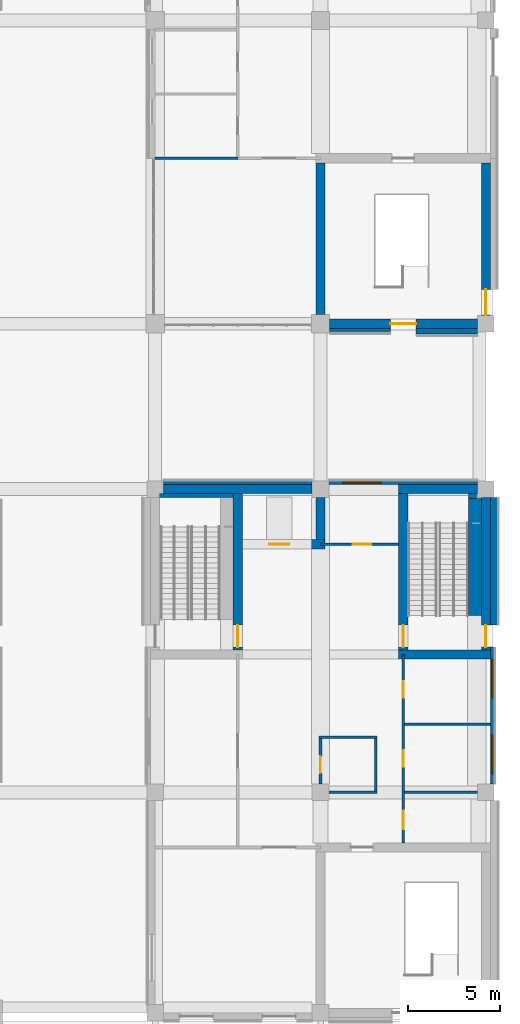
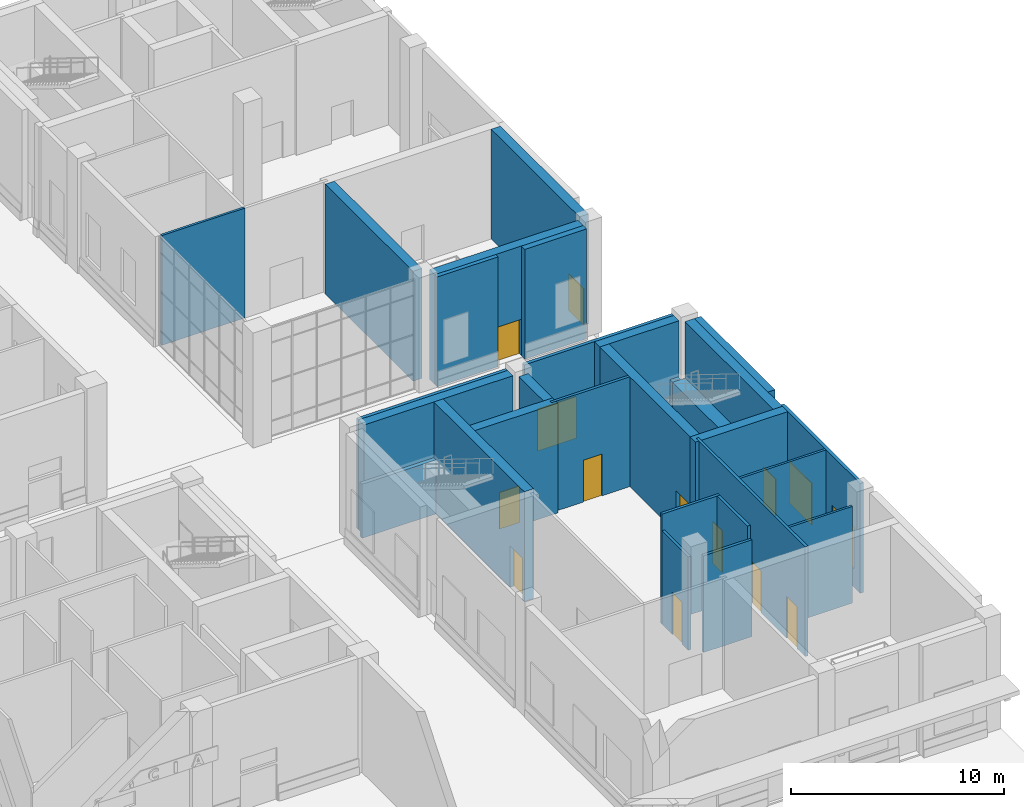
# One storey, part 15 of 35: 29 walls, 11 doors, 3 windows, 14 openings.
"""IFC4 building model written with IfcOpenShell, lengths in metres."""

import ifcopenshell
import ifcopenshell.guid

model = None  # the IFC model being written
_history = None  # IfcOwnerHistory: only IFC2X3 demands one
_inside = {}  # id of a spatial element -> (the spatial element, [elements in it])
_under = {}  # id of a project, library or spatial element -> (it, [spatial elements below it])
_declared = {}  # id of a project -> (the project, [libraries it declares])
_typed = {}  # id of a type object -> (the type object, [elements of that type])
_made_of = {}  # id of a material, layer set ... -> (it, [elements and type objects made of it])


def new_model(schema):
    """Start an empty IFC model of exactly this schema.

    Asked for "IFC4X3", IfcOpenShell would pick the latest addendum, in which some entities
    have other attributes; the version numbers below select the first issue.
    IFC2X3 requires an IfcOwnerHistory on every rooted entity: one is made here for all.
    """
    global model, _history
    if schema == "IFC4X3":
        model = ifcopenshell.file(schema_version=(4, 3, 0, 0))
    else:
        model = ifcopenshell.file(schema=schema)
    _inside.clear()
    _under.clear()
    _declared.clear()
    _typed.clear()
    _made_of.clear()
    _history = None
    if model.schema == "IFC2X3":
        org = make("IfcOrganization", Name="unknown")
        user = make(
            "IfcPersonAndOrganization",
            ThePerson=make("IfcPerson", FamilyName="unknown"),
            TheOrganization=org,
        )
        app = make(
            "IfcApplication",
            ApplicationDeveloper=org,
            Version="unknown",
            ApplicationFullName="unknown",
            ApplicationIdentifier="unknown",
        )
        _history = make(
            "IfcOwnerHistory",
            OwningUser=user,
            OwningApplication=app,
            ChangeAction="ADDED",
            CreationDate=0,
        )
    return model


def make(cls, **values):
    """One entity of the class cls with the attributes given. An attribute that is None is left unset."""
    return model.create_entity(
        cls, **{name: value for name, value in values.items() if value is not None}
    )


def rooted(cls, **values):
    """An entity with a GlobalId (a new one), such as an element, a storey or a relation."""
    return make(cls, GlobalId=ifcopenshell.guid.new(), OwnerHistory=_history, **values)


def si_unit(unit_type, name, prefix=None):
    """IfcSIUnit, for example si_unit("LENGTHUNIT", "METRE", prefix="MILLI")."""
    return make("IfcSIUnit", UnitType=unit_type, Prefix=prefix, Name=name)


def assignment(units):
    """IfcUnitAssignment: the units of a project."""
    return None if units is None else make("IfcUnitAssignment", Units=units)


def point(xyz):
    """IfcCartesianPoint."""
    return None if xyz is None else make("IfcCartesianPoint", Coordinates=xyz)


def direction(xyz):
    """IfcDirection."""
    return None if xyz is None else make("IfcDirection", DirectionRatios=xyz)


def frame(location, z_axis=None, x_axis=None):
    """IfcAxis2Placement3D, a coordinate frame: its origin and axes. An axis left out is left unset."""
    return make(
        "IfcAxis2Placement3D",
        Location=point(location),
        Axis=direction(z_axis),
        RefDirection=direction(x_axis),
    )


def frame_2d(location, x_axis=None):
    """IfcAxis2Placement2D, a coordinate frame in the plane: its origin and x axis."""
    return make(
        "IfcAxis2Placement2D", Location=point(location), RefDirection=direction(x_axis)
    )


def origin():
    """The frame at (0, 0, 0) with its axes left unset."""
    return frame((0.0, 0.0, 0.0))


def place(relative_to, where):
    """IfcLocalPlacement: puts the frame where relative to a parent placement (None: the world)."""
    return make(
        "IfcLocalPlacement", PlacementRelTo=relative_to, RelativePlacement=where
    )


def context(
    kind, dimensions, precision=None, world=None, true_north=None, identifier=None
):
    """IfcGeometricRepresentationContext, for example the 3D "Model" context."""
    return make(
        "IfcGeometricRepresentationContext",
        ContextIdentifier=identifier,
        ContextType=kind,
        CoordinateSpaceDimension=dimensions,
        Precision=precision,
        WorldCoordinateSystem=world,
        TrueNorth=true_north,
    )


def subcontext(parent, identifier, kind, view, scale=None):
    """IfcGeometricRepresentationSubContext, for example "Body" below "Model"."""
    return make(
        "IfcGeometricRepresentationSubContext",
        ContextIdentifier=identifier,
        ContextType=kind,
        ParentContext=parent,
        TargetScale=scale,
        TargetView=view,
    )


def project(units=None, contexts=None):
    """IfcProject with its units and contexts."""
    return rooted(
        "IfcProject",
        Name="project",
        RepresentationContexts=contexts,
        UnitsInContext=assignment(units),
    )


def spatial(cls, under=None, at=None, **own):
    """A site, building, storey or space (cls), placed at a placement, below another one or the project."""
    s = rooted(cls, ObjectPlacement=at, **own)
    if under is not None:
        _under.setdefault(under.id(), (under, []))[1].append(s)
    return s


def profile(cls, at=None, kind="AREA", **sizes):
    """A parametric profile (cls). Its sizes go by their IFC names, for example OverallWidth=200.0."""
    return make(cls, ProfileType=kind, Position=at, **sizes)


def rectangle(**sizes):
    """IfcRectangleProfileDef."""
    return profile("IfcRectangleProfileDef", **sizes)


def extrude(swept, where, along, depth):
    """IfcExtrudedAreaSolid: the profile swept, set in the frame where, extruded along a direction by depth."""
    return make(
        "IfcExtrudedAreaSolid",
        SweptArea=swept,
        Position=where,
        ExtrudedDirection=direction(along),
        Depth=depth,
    )


def shape(context_of_items, identifier, shape_type, items):
    """IfcShapeRepresentation: the items that make up one representation, for example the "Body"."""
    return make(
        "IfcShapeRepresentation",
        ContextOfItems=context_of_items,
        RepresentationIdentifier=identifier,
        RepresentationType=shape_type,
        Items=items,
    )


def material(Name=None, Category=None):
    """IfcMaterial."""
    return make("IfcMaterial", Name=Name, Category=Category)


def layer(
    of_material, thickness, ventilated=None, Name=None, Category=None, Priority=None
):
    """IfcMaterialLayer: one layer of a wall or slab, of a material (None: an air gap)."""
    return make(
        "IfcMaterialLayer",
        Material=of_material,
        LayerThickness=thickness,
        IsVentilated=ventilated,
        Name=Name,
        Category=Category,
        Priority=Priority,
    )


def layer_set(layers, Name=None):
    """IfcMaterialLayerSet."""
    return make("IfcMaterialLayerSet", MaterialLayers=layers, LayerSetName=Name)


def made_of(thing, what):
    """Note that an element or type object is made of a material, layer set ...; save() writes the relation."""
    if what is not None:
        _made_of.setdefault(what.id(), (what, []))[1].append(thing)
    return thing


def type_object(cls, material=None, **own):
    """A type object (cls), such as IfcWallType, which elements share."""
    return made_of(rooted(cls, **own), material)


def element(
    cls,
    number,
    at=None,
    inside=None,
    cuts=None,
    type_object=None,
    material=None,
    context=None,
    identifier="Body",
    shape_type=None,
    held_by="IfcProductDefinitionShape",
    body=None,
    shapes=None,
    **own,
):
    """One element of the class cls, such as IfcWall. Its Tag is "e" and its number.

    at: its placement. inside: the storey or other place that contains it. cuts: it is an
    opening in that element (IfcRelVoidsElement). A single representation is given by context,
    identifier, shape_type and body (its items); several are given by shapes. held_by: the class
    of the entity that holds the representations. save() writes the other relations.
    """
    e = rooted(cls, Tag="e%d" % number, ObjectPlacement=at, **own)
    if body is not None:
        shapes = [shape(context, identifier, shape_type, body)]
    if shapes is not None:
        e.Representation = make(held_by, Representations=shapes)
    if inside is not None:
        _inside.setdefault(inside.id(), (inside, []))[1].append(e)
    if cuts is not None:
        rooted(
            "IfcRelVoidsElement", RelatingBuildingElement=cuts, RelatedOpeningElement=e
        )
    if type_object is not None:
        _typed.setdefault(type_object.id(), (type_object, []))[1].append(e)
    return made_of(e, material)


def fill(opening, filler):
    """IfcRelFillsElement: the door or window that sits in an opening."""
    return rooted(
        "IfcRelFillsElement",
        RelatingOpeningElement=opening,
        RelatedBuildingElement=filler,
    )


def aggregate(whole, parts):
    """IfcRelAggregates: a whole, such as a stair, and the parts it consists of."""
    return rooted("IfcRelAggregates", RelatingObject=whole, RelatedObjects=parts)


def save(model, path):
    """Write the relations noted so far, then the file.

    IfcRelAggregates (storeys below a building ...), IfcRelContainedInSpatialStructure (elements
    in a storey), IfcRelDefinesByType, IfcRelAssociatesMaterial and IfcRelDeclares: one each for
    every whole, place, type object, material and project.
    """
    for whole, parts in _under.values():
        aggregate(whole, parts)
    for where, things in _inside.values():
        rooted(
            "IfcRelContainedInSpatialStructure",
            RelatedElements=things,
            RelatingStructure=where,
        )
    for kind, things in _typed.values():
        rooted("IfcRelDefinesByType", RelatedObjects=things, RelatingType=kind)
    for what, things in _made_of.values():
        rooted("IfcRelAssociatesMaterial", RelatedObjects=things, RelatingMaterial=what)
    for by, libraries in _declared.values():
        rooted("IfcRelDeclares", RelatingContext=by, RelatedDefinitions=libraries)
    model.write(path)


model = new_model("IFC4")

# Units and contexts
model_context = context("Model", 3, precision=1e-05, world=origin(), true_north=direction((0.0, 1.0)))
body_context = subcontext(model_context, "Body", "Model", "MODEL_VIEW")
ifc_project = project(units=[si_unit("LENGTHUNIT", "METRE"), si_unit("AREAUNIT", "SQUARE_METRE"), si_unit("VOLUMEUNIT", "CUBIC_METRE"), si_unit("PLANEANGLEUNIT", "RADIAN"), si_unit("MASSUNIT", "GRAM", prefix="KILO")], contexts=[model_context])

# Site, building, storey
site_placement = place(None, origin())
site = spatial("IfcSite", under=ifc_project, at=site_placement, CompositionType="ELEMENT")
building_placement = place(site_placement, origin())
building = spatial("IfcBuilding", under=site, at=building_placement, Name="Aurelan Courthouse", CompositionType="ELEMENT")
storey_placement = place(building_placement, origin())
storey = spatial("IfcBuildingStorey", under=building, at=storey_placement, Name="L00", CompositionType="ELEMENT", Elevation=0.0)

# Walls
ifc_material_1 = material(Name="Gypsum board on metal studs")
ifc_layer_1 = layer(ifc_material_1, 0.14990234375)
ifc_layer_set_1 = layer_set([ifc_layer_1], Name="Gypsum board on metal studs")
wall_type_1 = type_object("IfcWallType", Name="Corridor partition 150 EI 60", PredefinedType="PARTITIONING", material=ifc_layer_set_1)
wall_1_placement = place(storey_placement, frame((81.449951171875, 12.0, 0.0), z_axis=(0.0, 0.0, 1.0), x_axis=(1.0, 0.0, 0.0)))
element("IfcWall", 1, at=wall_1_placement, inside=storey, type_object=wall_type_1, Name="Corridor partition L00-004", PredefinedType="PARTITIONING", context=body_context, shape_type="SweptSolid", body=[
    extrude(rectangle(XDim=2.625, YDim=0.14990234375, at=frame_2d((1.3125, 0.0))), origin(), (0.0, 0.0, 1.0), 5.550048828125),
])
wall_2_placement = place(storey_placement, frame((80.925048828125, 15.0, 0.0), z_axis=(0.0, 0.0, 1.0), x_axis=(1.0, 0.0, 0.0)))
element("IfcWall", 2, at=wall_2_placement, inside=storey, type_object=wall_type_1, Name="Corridor partition L00-009", PredefinedType="PARTITIONING", context=body_context, shape_type="SweptSolid", body=[
    extrude(rectangle(XDim=3.14990234375, YDim=0.14990234375, at=frame_2d((1.574951171875, 0.0))), origin(), (0.0, 0.0, 1.0), 6.300048828125),
])

# Wall, opening, door
wall_3_placement = place(storey_placement, frame((81.0, 25.5, 0.0), z_axis=(0.0, 0.0, 1.0), x_axis=(1.0, 0.0, 0.0)))
wall_3 = element("IfcWall", 3, at=wall_3_placement, inside=storey, type_object=wall_type_1, Name="Corridor partition L00-023", PredefinedType="PARTITIONING", context=body_context, shape_type="SweptSolid", body=[
    extrude(rectangle(XDim=4.25, YDim=0.14990234375, at=frame_2d((2.125, 0.0))), origin(), (0.0, 0.0, 1.0), 6.300048828125),
])
opening_1_placement = place(wall_3_placement, frame((1.75, 0.0, 0.0)))
opening_1 = element("IfcOpeningElement", 4, at=opening_1_placement, cuts=wall_3, Name="Opening D-L00-085", PredefinedType="OPENING", context=body_context, shape_type="SweptSolid", body=[
    extrude(rectangle(XDim=1.0, YDim=2.39990234375, at=frame_2d((0.5, 1.199951171875))), frame((0.0, 0.0849609375, 0.0), z_axis=(0.0, -1.0, 0.0), x_axis=(1.0, 0.0, 0.0)), (0.0, 0.0, 1.0), 0.169921875),
])
ifc_material_2 = material(Name="Steel", Category="steel")
door_type_1 = type_object("IfcDoorType", Name="Single door 1000 x 2400 FD60", OperationType="SINGLE_SWING_LEFT", PredefinedType="DOOR", material=ifc_material_2)
door_1_placement = place(opening_1_placement, origin())
door_1 = element("IfcDoor", 5, at=door_1_placement, inside=storey, type_object=door_type_1, Name="Single door D-L00-085", OperationType="SINGLE_SWING_RIGHT", OverallHeight=2.39990234375, OverallWidth=1.0, PredefinedType="DOOR", context=body_context, shape_type="SweptSolid", body=[
    extrude(rectangle(XDim=1.0, YDim=2.39990234375, at=frame_2d((0.5, 1.199951171875))), frame((0.0, 0.02490234375, 0.0), z_axis=(0.0, -1.0, 0.0), x_axis=(1.0, 0.0, 0.0)), (0.0, 0.0, 1.0), 0.050048828125),
])
fill(opening_1, door_1)

wall_4_placement = place(storey_placement, frame((81.0, 12.449951171875, 0.0), z_axis=(0.0, 0.0, 1.0), x_axis=(0.0, 1.0, 0.0)))
wall_4 = element("IfcWall", 6, at=wall_4_placement, inside=storey, type_object=wall_type_1, Name="Corridor partition L00-094", PredefinedType="PARTITIONING", context=body_context, shape_type="SweptSolid", body=[
    extrude(rectangle(XDim=2.47509765625, YDim=0.14990234375, at=frame_2d((1.237548828125, 0.0))), origin(), (0.0, 0.0, 1.0), 5.35009765625),
])
opening_2_placement = place(wall_4_placement, frame((1.5, 0.0, 0.0), z_axis=(0.0, 0.0, 1.0), x_axis=(-1.0, 0.0, 0.0)))
opening_2 = element("IfcOpeningElement", 7, at=opening_2_placement, cuts=wall_4, Name="Opening D-L00-074", PredefinedType="OPENING", context=body_context, shape_type="SweptSolid", body=[
    extrude(rectangle(XDim=0.89990234375, YDim=2.39990234375, at=frame_2d((0.449951171875, 1.199951171875))), frame((0.0, 0.0849609375, 0.0), z_axis=(0.0, -1.0, 0.0), x_axis=(1.0, 0.0, 0.0)), (0.0, 0.0, 1.0), 0.169921875),
])
door_type_2 = type_object("IfcDoorType", Name="Single door 900 x 2400 FD60", OperationType="SINGLE_SWING_LEFT", PredefinedType="DOOR", material=ifc_material_2)
door_2_placement = place(opening_2_placement, origin())
door_2 = element("IfcDoor", 8, at=door_2_placement, inside=storey, type_object=door_type_2, Name="Single door D-L00-074", OperationType="SINGLE_SWING_RIGHT", OverallHeight=2.39990234375, OverallWidth=0.89990234375, PredefinedType="DOOR", context=body_context, shape_type="SweptSolid", body=[
    extrude(rectangle(XDim=0.89990234375, YDim=2.39990234375, at=frame_2d((0.449951171875, 1.199951171875))), frame((0.0, 0.02490234375, 0.0), z_axis=(0.0, -1.0, 0.0), x_axis=(1.0, 0.0, 0.0)), (0.0, 0.0, 1.0), 0.050048828125),
])
fill(opening_2, door_2)

# Wall
wall_5_placement = place(storey_placement, frame((84.0, 12.074951171875, 0.0), z_axis=(0.0, 0.0, 1.0), x_axis=(0.0, 1.0, 0.0)))
element("IfcWall", 9, at=wall_5_placement, inside=storey, type_object=wall_type_1, Name="Corridor partition L00-096", PredefinedType="PARTITIONING", context=body_context, shape_type="SweptSolid", body=[
    extrude(rectangle(XDim=2.85009765625, YDim=0.14990234375, at=frame_2d((1.425048828125, 0.0))), origin(), (0.0, 0.0, 1.0), 6.300048828125),
])

# Wall, openings, doors
wall_6_placement = place(storey_placement, frame((85.5, 9.25, 0.0), z_axis=(0.0, 0.0, 1.0), x_axis=(0.0, 1.0, 0.0)))
wall_6 = element("IfcWall", 10, at=wall_6_placement, inside=storey, type_object=wall_type_1, Name="Corridor partition L00-097", PredefinedType="PARTITIONING", context=body_context, shape_type="SweptSolid", body=[
    extrude(rectangle(XDim=10.25, YDim=0.14990234375, at=frame_2d((5.125, 0.0))), origin(), (0.0, 0.0, 1.0), 6.300048828125),
])
opening_3_placement = place(wall_6_placement, frame((1.75, 0.0, 0.0), z_axis=(0.0, 0.0, 1.0), x_axis=(-1.0, 0.0, 0.0)))
opening_3 = element("IfcOpeningElement", 11, at=opening_3_placement, cuts=wall_6, Name="Opening D-L00-082", PredefinedType="OPENING", context=body_context, shape_type="SweptSolid", body=[
    extrude(rectangle(XDim=1.0, YDim=2.39990234375, at=frame_2d((0.5, 1.199951171875))), frame((0.0, 0.0849609375, 0.0), z_axis=(0.0, -1.0, 0.0), x_axis=(1.0, 0.0, 0.0)), (0.0, 0.0, 1.0), 0.169921875),
])
opening_4_placement = place(wall_6_placement, frame((5.0498046875, 0.0, 0.0), z_axis=(0.0, 0.0, 1.0), x_axis=(-1.0, 0.0, 0.0)))
opening_4 = element("IfcOpeningElement", 12, at=opening_4_placement, cuts=wall_6, Name="Opening D-L00-083", PredefinedType="OPENING", context=body_context, shape_type="SweptSolid", body=[
    extrude(rectangle(XDim=0.89990234375, YDim=2.39990234375, at=frame_2d((0.449951171875, 1.199951171875))), frame((0.0, 0.0849609375, 0.0), z_axis=(0.0, -1.0, 0.0), x_axis=(1.0, 0.0, 0.0)), (0.0, 0.0, 1.0), 0.169921875),
])
opening_5_placement = place(wall_6_placement, frame((8.7998046875, 0.0, 0.0), z_axis=(0.0, 0.0, 1.0), x_axis=(-1.0, 0.0, 0.0)))
opening_5 = element("IfcOpeningElement", 13, at=opening_5_placement, cuts=wall_6, Name="Opening D-L00-084", PredefinedType="OPENING", context=body_context, shape_type="SweptSolid", body=[
    extrude(rectangle(XDim=0.89990234375, YDim=2.39990234375, at=frame_2d((0.449951171875, 1.199951171875))), frame((0.0, 0.0849609375, 0.0), z_axis=(0.0, -1.0, 0.0), x_axis=(1.0, 0.0, 0.0)), (0.0, 0.0, 1.0), 0.169921875),
])
door_3_placement = place(opening_3_placement, origin())
door_3 = element("IfcDoor", 14, at=door_3_placement, inside=storey, type_object=door_type_1, Name="Single door D-L00-082", OperationType="SINGLE_SWING_RIGHT", OverallHeight=2.39990234375, OverallWidth=1.0, PredefinedType="DOOR", context=body_context, shape_type="SweptSolid", body=[
    extrude(rectangle(XDim=1.0, YDim=2.39990234375, at=frame_2d((0.5, 1.199951171875))), frame((0.0, 0.02490234375, 0.0), z_axis=(0.0, -1.0, 0.0), x_axis=(1.0, 0.0, 0.0)), (0.0, 0.0, 1.0), 0.050048828125),
])
fill(opening_3, door_3)
door_4_placement = place(opening_4_placement, origin())
door_4 = element("IfcDoor", 15, at=door_4_placement, inside=storey, type_object=door_type_2, Name="Single door D-L00-083", OperationType="SINGLE_SWING_LEFT", OverallHeight=2.39990234375, OverallWidth=0.89990234375, PredefinedType="DOOR", context=body_context, shape_type="SweptSolid", body=[
    extrude(rectangle(XDim=0.89990234375, YDim=2.39990234375, at=frame_2d((0.449951171875, 1.199951171875))), frame((0.0, 0.02490234375, 0.0), z_axis=(0.0, -1.0, 0.0), x_axis=(1.0, 0.0, 0.0)), (0.0, 0.0, 1.0), 0.050048828125),
])
fill(opening_4, door_4)
door_5_placement = place(opening_5_placement, origin())
door_5 = element("IfcDoor", 16, at=door_5_placement, inside=storey, type_object=door_type_2, Name="Single door D-L00-084", OperationType="SINGLE_SWING_RIGHT", OverallHeight=2.39990234375, OverallWidth=0.89990234375, PredefinedType="DOOR", context=body_context, shape_type="SweptSolid", body=[
    extrude(rectangle(XDim=0.89990234375, YDim=2.39990234375, at=frame_2d((0.449951171875, 1.199951171875))), frame((0.0, 0.02490234375, 0.0), z_axis=(0.0, -1.0, 0.0), x_axis=(1.0, 0.0, 0.0)), (0.0, 0.0, 1.0), 0.050048828125),
])
fill(opening_5, door_5)

# Walls
ifc_material_3 = material(Name="Granite cladding", Category="masonry")
ifc_layer_2 = layer(ifc_material_3, 0.06494140625, Name="Facing")
ifc_material_4 = material(Name="Ventilated cavity")
ifc_layer_3 = layer(ifc_material_4, 0.02490234375, ventilated=True, Name="Ventilated cavity")
ifc_material_5 = material(Name="Mineral wool insulation")
ifc_layer_4 = layer(ifc_material_5, 0.030029296875, Name="Insulation")
ifc_material_6 = material(Name="Concrete C30", Category="concrete")
ifc_layer_5 = layer(ifc_material_6, 0.10009765625, Name="Structure")
ifc_layer_set_2 = layer_set([ifc_layer_2, ifc_layer_3, ifc_layer_4, ifc_layer_5], Name="Concrete C30")
wall_type_2 = type_object("IfcWallType", Name="Law Library granite-faced wall 220", PredefinedType="SOLIDWALL", material=ifc_layer_set_2)
wall_7_placement = place(storey_placement, frame((81.5, 37.139892578125, 0.0), z_axis=(0.0, 0.0, 1.0), x_axis=(1.0, 0.0, 0.0)))
element("IfcWall", 17, at=wall_7_placement, inside=storey, type_object=wall_type_2, Name="Facade wall FW-V3-L00-001", PredefinedType="SOLIDWALL", context=body_context, shape_type="SweptSolid", body=[
    extrude(rectangle(XDim=3.300048828125, YDim=0.219970703125, at=frame_2d((1.64990234375, 0.0))), origin(), (0.0, 0.0, 1.0), 6.300048828125),
])
ifc_layer_6 = layer(ifc_material_3, 0.090087890625, Name="Facing")
ifc_layer_7 = layer(ifc_material_4, 0.02490234375, ventilated=True, Name="Ventilated cavity")
ifc_layer_8 = layer(ifc_material_5, 0.044921875, Name="Insulation")
ifc_layer_9 = layer(ifc_material_6, 0.159912109375, Name="Structure")
ifc_layer_set_3 = layer_set([ifc_layer_6, ifc_layer_7, ifc_layer_8, ifc_layer_9], Name="Concrete C30")
wall_type_3 = type_object("IfcWallType", Name="Law Library granite-faced wall 320", PredefinedType="SOLIDWALL", material=ifc_layer_set_3)
wall_8_placement = place(storey_placement, frame((86.199951171875, 37.090087890625, 0.0), z_axis=(0.0, 0.0, 1.0), x_axis=(1.0, 0.0, 0.0)))
element("IfcWall", 18, at=wall_8_placement, inside=storey, type_object=wall_type_3, Name="Facade wall FW-V3-L00-002", PredefinedType="SOLIDWALL", context=body_context, shape_type="SweptSolid", body=[
    extrude(rectangle(XDim=3.35009765625, YDim=0.320068359375, at=frame_2d((1.675048828125, 0.0))), origin(), (0.0, 0.0, 1.0), 6.300048828125),
])
ifc_layer_10 = layer(ifc_material_3, 0.050048828125, Name="Facing")
ifc_layer_11 = layer(ifc_material_4, 0.02490234375, ventilated=True, Name="Ventilated cavity")
ifc_layer_12 = layer(ifc_material_5, 0.02490234375, Name="Insulation")
ifc_layer_13 = layer(ifc_material_6, 0.080078125, Name="Structure")
ifc_layer_set_4 = layer_set([ifc_layer_10, ifc_layer_11, ifc_layer_12, ifc_layer_13], Name="Concrete C30")
wall_type_4 = type_object("IfcWallType", Name="Public Hall and Registry granite-faced wall 180", PredefinedType="SOLIDWALL", material=ifc_layer_set_4)
wall_9_placement = place(storey_placement, frame((72.449951171875, 28.840087890625, 0.0), z_axis=(0.0, 0.0, 1.0), x_axis=(1.0, 0.0, 0.0)))
element("IfcWall", 19, at=wall_9_placement, inside=storey, type_object=wall_type_4, Name="Facade wall FW-V4-L00-004", PredefinedType="SOLIDWALL", context=body_context, shape_type="SweptSolid", body=[
    extrude(rectangle(XDim=8.10009765625, YDim=0.179931640625, at=frame_2d((4.050048828125, 0.0))), origin(), (0.0, 0.0, 1.0), 6.300048828125),
])

# Wall, opening, window
wall_10_placement = place(storey_placement, frame((81.449951171875, 28.840087890625, 0.0), z_axis=(0.0, 0.0, 1.0), x_axis=(1.0, 0.0, 0.0)))
wall_10 = element("IfcWall", 20, at=wall_10_placement, inside=storey, type_object=wall_type_4, Name="Facade wall FW-V4-L00-005", PredefinedType="SOLIDWALL", context=body_context, shape_type="SweptSolid", body=[
    extrude(rectangle(XDim=8.10009765625, YDim=0.179931640625, at=frame_2d((4.050048828125, 0.0))), origin(), (0.0, 0.0, 1.0), 6.300048828125),
])
opening_6_placement = place(wall_10_placement, frame((0.75, 0.0, 1.050048828125)))
opening_6 = element("IfcOpeningElement", 21, at=opening_6_placement, cuts=wall_10, Name="Opening WN-V4-L00-003", PredefinedType="OPENING", context=body_context, shape_type="SweptSolid", body=[
    extrude(rectangle(XDim=2.10009765625, YDim=2.39990234375, at=frame_2d((1.050048828125, 1.199951171875))), frame((0.0, 0.099853515625, 0.0), z_axis=(0.0, -1.0, 0.0), x_axis=(1.0, 0.0, 0.0)), (0.0, 0.0, 1.0), 0.199951171875),
])
ifc_material_7 = material(Name="Bronze-finished aluminium and glass", Category="aluminium")
window_type = type_object("IfcWindowType", Name="Public Hall and Registry window 2100 x 2400, sill 1050", PartitioningType="SINGLE_PANEL", PredefinedType="WINDOW", material=ifc_material_7)
window_1_placement = place(opening_6_placement, origin())
window_1 = element("IfcWindow", 22, at=window_1_placement, inside=storey, type_object=window_type, Name="Window WN-V4-L00-003", OverallHeight=2.39990234375, OverallWidth=2.10009765625, PartitioningType="SINGLE_PANEL", PredefinedType="WINDOW", context=body_context, shape_type="SweptSolid", body=[
    extrude(rectangle(XDim=2.10009765625, YDim=2.39990234375, at=frame_2d((1.050048828125, 1.199951171875))), frame((0.0, 0.030029296875, 0.0), z_axis=(0.0, -1.0, 0.0), x_axis=(1.0, 0.0, 0.0)), (0.0, 0.0, 1.0), 0.06005859375),
])
fill(opening_6, window_1)

# Wall, openings, windows
wall_11_placement = place(storey_placement, frame((90.340087890625, 12.449951171875, 0.0), z_axis=(0.0, 0.0, 1.0), x_axis=(0.0, 1.0, 0.0)))
wall_11 = element("IfcWall", 23, at=wall_11_placement, inside=storey, type_object=wall_type_4, Name="Facade wall FW-V4-L00-007", PredefinedType="SOLIDWALL", context=body_context, shape_type="SweptSolid", body=[
    extrude(rectangle(XDim=7.449951171875, YDim=0.179931640625, at=frame_2d((3.72509765625, 0.0))), origin(), (0.0, 0.0, 1.0), 6.300048828125),
])
opening_7_placement = place(wall_11_placement, frame((0.5625, 0.0, 1.050048828125)))
opening_7 = element("IfcOpeningElement", 24, at=opening_7_placement, cuts=wall_11, Name="Opening WN-V4-L00-004", PredefinedType="OPENING", context=body_context, shape_type="SweptSolid", body=[
    extrude(rectangle(XDim=2.10009765625, YDim=2.39990234375, at=frame_2d((1.050048828125, 1.199951171875))), frame((0.0, 0.099853515625, 0.0), z_axis=(0.0, -1.0, 0.0), x_axis=(1.0, 0.0, 0.0)), (0.0, 0.0, 1.0), 0.199951171875),
])
opening_8_placement = place(wall_11_placement, frame((4.6875, 0.0, 1.050048828125)))
opening_8 = element("IfcOpeningElement", 25, at=opening_8_placement, cuts=wall_11, Name="Opening WN-V4-L00-005", PredefinedType="OPENING", context=body_context, shape_type="SweptSolid", body=[
    extrude(rectangle(XDim=2.10009765625, YDim=2.39990234375, at=frame_2d((1.050048828125, 1.199951171875))), frame((0.0, 0.099853515625, 0.0), z_axis=(0.0, -1.0, 0.0), x_axis=(1.0, 0.0, 0.0)), (0.0, 0.0, 1.0), 0.199951171875),
])
window_2_placement = place(opening_7_placement, origin())
window_2 = element("IfcWindow", 26, at=window_2_placement, inside=storey, type_object=window_type, Name="Window WN-V4-L00-004", OverallHeight=2.39990234375, OverallWidth=2.10009765625, PartitioningType="SINGLE_PANEL", PredefinedType="WINDOW", context=body_context, shape_type="SweptSolid", body=[
    extrude(rectangle(XDim=2.10009765625, YDim=2.39990234375, at=frame_2d((1.050048828125, 1.199951171875))), frame((0.0, 0.030029296875, 0.0), z_axis=(0.0, -1.0, 0.0), x_axis=(1.0, 0.0, 0.0)), (0.0, 0.0, 1.0), 0.06005859375),
])
fill(opening_7, window_2)
window_3_placement = place(opening_8_placement, origin())
window_3 = element("IfcWindow", 27, at=window_3_placement, inside=storey, type_object=window_type, Name="Window WN-V4-L00-005", OverallHeight=2.39990234375, OverallWidth=2.10009765625, PartitioningType="SINGLE_PANEL", PredefinedType="WINDOW", context=body_context, shape_type="SweptSolid", body=[
    extrude(rectangle(XDim=2.10009765625, YDim=2.39990234375, at=frame_2d((1.050048828125, 1.199951171875))), frame((0.0, 0.030029296875, 0.0), z_axis=(0.0, -1.0, 0.0), x_axis=(1.0, 0.0, 0.0)), (0.0, 0.0, 1.0), 0.06005859375),
])
fill(opening_8, window_3)

# Walls
ifc_layer_14 = layer(ifc_material_3, 0.110107421875, Name="Facing")
ifc_layer_15 = layer(ifc_material_4, 0.02490234375, ventilated=True, Name="Ventilated cavity")
ifc_layer_16 = layer(ifc_material_5, 0.054931640625, Name="Insulation")
ifc_layer_17 = layer(ifc_material_6, 0.18994140625, Name="Structure")
ifc_layer_set_5 = layer_set([ifc_layer_14, ifc_layer_15, ifc_layer_16, ifc_layer_17], Name="Concrete C30")
wall_type_5 = type_object("IfcWallType", Name="Public Hall and Registry granite-faced wall 380", PredefinedType="SOLIDWALL", material=ifc_layer_set_5)
wall_12_placement = place(storey_placement, frame((90.43994140625, 21.10009765625, 0.0), z_axis=(0.0, 0.0, 1.0), x_axis=(0.0, 1.0, 0.0)))
element("IfcWall", 28, at=wall_12_placement, inside=storey, type_object=wall_type_5, Name="Facade wall FW-V4-L00-008", PredefinedType="SOLIDWALL", context=body_context, shape_type="SweptSolid", body=[
    extrude(rectangle(XDim=6.949951171875, YDim=0.3798828125, at=frame_2d((3.47509765625, 0.0))), origin(), (0.0, 0.0, 1.0), 6.300048828125),
])
ifc_material_8 = material(Name="Concrete C50", Category="concrete")
ifc_layer_18 = layer(ifc_material_8, 0.5)
ifc_layer_set_6 = layer_set([ifc_layer_18], Name="Concrete C50")
wall_type_6 = type_object("IfcWallType", Name="RC shear wall 500", PredefinedType="SHEAR", material=ifc_layer_set_6)
wall_13_placement = place(storey_placement, frame((85.25, 19.5, 0.0), z_axis=(0.0, 0.0, 1.0), x_axis=(1.0, 0.0, 0.0)))
element("IfcWall", 29, at=wall_13_placement, inside=storey, type_object=wall_type_6, Name="Core wall SW-L00-018", PredefinedType="SHEAR", context=body_context, shape_type="SweptSolid", body=[
    extrude(rectangle(XDim=5.0, YDim=0.5, at=frame_2d((2.5, 0.0))), origin(), (0.0, 0.0, 1.0), 6.300048828125),
])

# Wall, opening, door
wall_14_placement = place(storey_placement, frame((76.5, 19.75, 0.0), z_axis=(0.0, 0.0, 1.0), x_axis=(0.0, 1.0, 0.0)))
wall_14 = element("IfcWall", 30, at=wall_14_placement, inside=storey, type_object=wall_type_6, Name="Core wall SW-L00-030", PredefinedType="SHEAR", context=body_context, shape_type="SweptSolid", body=[
    extrude(rectangle(XDim=8.5, YDim=0.5, at=frame_2d((4.25, 0.0))), origin(), (0.0, 0.0, 1.0), 6.300048828125),
])
opening_9_placement = place(wall_14_placement, frame((0.14990234375, 0.0, 0.0)))
opening_9 = element("IfcOpeningElement", 31, at=opening_9_placement, cuts=wall_14, Name="Opening D-L00-089", PredefinedType="OPENING", context=body_context, shape_type="SweptSolid", body=[
    extrude(rectangle(XDim=1.199951171875, YDim=2.39990234375, at=frame_2d((0.60009765625, 1.199951171875))), frame((0.0, 0.260009765625, 0.0), z_axis=(0.0, -1.0, 0.0), x_axis=(1.0, 0.0, 0.0)), (0.0, 0.0, 1.0), 0.52001953125),
])
door_type_3 = type_object("IfcDoorType", Name="Single door 1200 x 2400 FD90", OperationType="SINGLE_SWING_LEFT", PredefinedType="DOOR", material=ifc_material_2)
door_6_placement = place(opening_9_placement, origin())
door_6 = element("IfcDoor", 32, at=door_6_placement, inside=storey, type_object=door_type_3, Name="Single door D-L00-089", OperationType="SINGLE_SWING_LEFT", OverallHeight=2.39990234375, OverallWidth=1.199951171875, PredefinedType="DOOR", context=body_context, shape_type="SweptSolid", body=[
    extrude(rectangle(XDim=1.199951171875, YDim=2.39990234375, at=frame_2d((0.60009765625, 1.199951171875))), frame((0.0, 0.02490234375, 0.0), z_axis=(0.0, -1.0, 0.0), x_axis=(1.0, 0.0, 0.0)), (0.0, 0.0, 1.0), 0.050048828125),
])
fill(opening_9, door_6)

wall_15_placement = place(storey_placement, frame((85.5, 19.75, 0.0), z_axis=(0.0, 0.0, 1.0), x_axis=(0.0, 1.0, 0.0)))
wall_15 = element("IfcWall", 33, at=wall_15_placement, inside=storey, type_object=wall_type_6, Name="Core wall SW-L00-031", PredefinedType="SHEAR", context=body_context, shape_type="SweptSolid", body=[
    extrude(rectangle(XDim=8.5, YDim=0.5, at=frame_2d((4.25, 0.0))), origin(), (0.0, 0.0, 1.0), 6.300048828125),
])
opening_10_placement = place(wall_15_placement, frame((1.349853515625, 0.0, 0.0), z_axis=(0.0, 0.0, 1.0), x_axis=(-1.0, 0.0, 0.0)))
opening_10 = element("IfcOpeningElement", 34, at=opening_10_placement, cuts=wall_15, Name="Opening D-L00-090", PredefinedType="OPENING", context=body_context, shape_type="SweptSolid", body=[
    extrude(rectangle(XDim=1.199951171875, YDim=2.39990234375, at=frame_2d((0.60009765625, 1.199951171875))), frame((0.0, 0.260009765625, 0.0), z_axis=(0.0, -1.0, 0.0), x_axis=(1.0, 0.0, 0.0)), (0.0, 0.0, 1.0), 0.52001953125),
])
door_7_placement = place(opening_10_placement, origin())
door_7 = element("IfcDoor", 35, at=door_7_placement, inside=storey, type_object=door_type_3, Name="Single door D-L00-090", OperationType="SINGLE_SWING_RIGHT", OverallHeight=2.39990234375, OverallWidth=1.199951171875, PredefinedType="DOOR", context=body_context, shape_type="SweptSolid", body=[
    extrude(rectangle(XDim=1.199951171875, YDim=2.39990234375, at=frame_2d((0.60009765625, 1.199951171875))), frame((0.0, 0.02490234375, 0.0), z_axis=(0.0, -1.0, 0.0), x_axis=(1.0, 0.0, 0.0)), (0.0, 0.0, 1.0), 0.050048828125),
])
fill(opening_10, door_7)

wall_16_placement = place(storey_placement, frame((90.0, 19.75, 0.0), z_axis=(0.0, 0.0, 1.0), x_axis=(0.0, 1.0, 0.0)))
wall_16 = element("IfcWall", 36, at=wall_16_placement, inside=storey, type_object=wall_type_6, Name="Core wall SW-L00-032", PredefinedType="SHEAR", context=body_context, shape_type="SweptSolid", body=[
    extrude(rectangle(XDim=8.300048828125, YDim=0.5, at=frame_2d((4.14990234375, 0.0))), origin(), (0.0, 0.0, 1.0), 6.300048828125),
])
opening_11_placement = place(wall_16_placement, frame((1.349853515625, 0.0, 0.0), z_axis=(0.0, 0.0, 1.0), x_axis=(-1.0, 0.0, 0.0)))
opening_11 = element("IfcOpeningElement", 37, at=opening_11_placement, cuts=wall_16, Name="Opening D-L00-088", PredefinedType="OPENING", context=body_context, shape_type="SweptSolid", body=[
    extrude(rectangle(XDim=1.199951171875, YDim=2.10009765625, at=frame_2d((0.60009765625, 1.050048828125))), frame((0.0, 0.260009765625, 0.0), z_axis=(0.0, -1.0, 0.0), x_axis=(1.0, 0.0, 0.0)), (0.0, 0.0, 1.0), 0.52001953125),
])
ifc_material_9 = material(Name="Bronze-clad timber", Category="wood")
door_type_4 = type_object("IfcDoorType", Name="Bronze single door 1200 x 2100", OperationType="SINGLE_SWING_LEFT", PredefinedType="DOOR", material=ifc_material_9)
door_8_placement = place(opening_11_placement, origin())
door_8 = element("IfcDoor", 38, at=door_8_placement, inside=storey, type_object=door_type_4, Name="Exit door D-L00-088", OperationType="SINGLE_SWING_RIGHT", OverallHeight=2.10009765625, OverallWidth=1.199951171875, PredefinedType="DOOR", context=body_context, shape_type="SweptSolid", body=[
    extrude(rectangle(XDim=1.199951171875, YDim=2.10009765625, at=frame_2d((0.60009765625, 1.050048828125))), frame((0.0, 0.02490234375, 0.0), z_axis=(0.0, -1.0, 0.0), x_axis=(1.0, 0.0, 0.0)), (0.0, 0.0, 1.0), 0.050048828125),
])
fill(opening_11, door_8)

wall_17_placement = place(storey_placement, frame((76.75, 25.5, 0.0), z_axis=(0.0, 0.0, 1.0), x_axis=(1.0, 0.0, 0.0)))
wall_17 = element("IfcWall", 39, at=wall_17_placement, inside=storey, type_object=wall_type_6, Name="Core wall SW-L00-037", PredefinedType="SHEAR", context=body_context, shape_type="SweptSolid", body=[
    extrude(rectangle(XDim=4.5, YDim=0.5, at=frame_2d((2.25, 0.0))), origin(), (0.0, 0.0, 1.0), 6.300048828125),
])
opening_12_placement = place(wall_17_placement, frame((1.449951171875, 0.0, 0.0)))
opening_12 = element("IfcOpeningElement", 40, at=opening_12_placement, cuts=wall_17, Name="Opening LD-V4-A1-L00", PredefinedType="OPENING", context=body_context, shape_type="SweptSolid", body=[
    extrude(rectangle(XDim=1.10009765625, YDim=2.10009765625, at=frame_2d((0.550048828125, 1.050048828125))), frame((0.0, 0.260009765625, 0.0), z_axis=(0.0, -1.0, 0.0), x_axis=(1.0, 0.0, 0.0)), (0.0, 0.0, 1.0), 0.52001953125),
])
door_type_5 = type_object("IfcDoorType", Name="Lift landing door 1100 x 2100 FD90", OperationType="SLIDING_TO_LEFT", PredefinedType="DOOR", material=ifc_material_2)
door_9_placement = place(opening_12_placement, origin())
door_9 = element("IfcDoor", 41, at=door_9_placement, inside=storey, type_object=door_type_5, Name="Lift landing door LD-V4-A1-L00", OperationType="SLIDING_TO_LEFT", OverallHeight=2.10009765625, OverallWidth=1.10009765625, PredefinedType="DOOR", context=body_context, shape_type="SweptSolid", body=[
    extrude(rectangle(XDim=1.10009765625, YDim=2.10009765625, at=frame_2d((0.550048828125, 1.050048828125))), frame((0.0, 0.02490234375, 0.0), z_axis=(0.0, -1.0, 0.0), x_axis=(1.0, 0.0, 0.0)), (0.0, 0.0, 1.0), 0.050048828125),
])
fill(opening_12, door_9)

# Walls
wall_18_placement = place(storey_placement, frame((81.0, 25.75, 0.0), z_axis=(0.0, 0.0, 1.0), x_axis=(0.0, 1.0, 0.0)))
element("IfcWall", 42, at=wall_18_placement, inside=storey, type_object=wall_type_6, Name="Core wall SW-L00-038", PredefinedType="SHEAR", context=body_context, shape_type="SweptSolid", body=[
    extrude(rectangle(XDim=2.300048828125, YDim=0.5, at=frame_2d((1.14990234375, 0.0))), origin(), (0.0, 0.0, 1.0), 6.300048828125),
])
wall_19_placement = place(storey_placement, frame((72.449951171875, 28.5, 0.0), z_axis=(0.0, 0.0, 1.0), x_axis=(1.0, 0.0, 0.0)))
element("IfcWall", 43, at=wall_19_placement, inside=storey, type_object=wall_type_6, Name="Core wall SW-L00-044", PredefinedType="SHEAR", context=body_context, shape_type="SweptSolid", body=[
    extrude(rectangle(XDim=8.10009765625, YDim=0.5, at=frame_2d((4.050048828125, 0.0))), origin(), (0.0, 0.0, 1.0), 6.300048828125),
])
wall_20_placement = place(storey_placement, frame((85.25, 28.5, 0.0), z_axis=(0.0, 0.0, 1.0), x_axis=(1.0, 0.0, 0.0)))
element("IfcWall", 44, at=wall_20_placement, inside=storey, type_object=wall_type_6, Name="Core wall SW-L00-045", PredefinedType="SHEAR", context=body_context, shape_type="SweptSolid", body=[
    extrude(rectangle(XDim=4.300048828125, YDim=0.5, at=frame_2d((2.14990234375, 0.0))), origin(), (0.0, 0.0, 1.0), 6.300048828125),
])

# Wall, opening, door
wall_21_placement = place(storey_placement, frame((81.5, 37.5, 0.0), z_axis=(0.0, 0.0, 1.0), x_axis=(1.0, 0.0, 0.0)))
wall_21 = element("IfcWall", 45, at=wall_21_placement, inside=storey, type_object=wall_type_6, Name="Core wall SW-L00-046", PredefinedType="SHEAR", context=body_context, shape_type="SweptSolid", body=[
    extrude(rectangle(XDim=8.050048828125, YDim=0.5, at=frame_2d((4.02490234375, 0.0))), origin(), (0.0, 0.0, 1.0), 6.300048828125),
])
opening_13_placement = place(wall_21_placement, frame((4.699951171875, 0.0, 0.0), z_axis=(0.0, 0.0, 1.0), x_axis=(-1.0, 0.0, 0.0)))
opening_13 = element("IfcOpeningElement", 46, at=opening_13_placement, cuts=wall_21, Name="Opening D-L00-068", PredefinedType="OPENING", context=body_context, shape_type="SweptSolid", body=[
    extrude(rectangle(XDim=1.39990234375, YDim=2.10009765625, at=frame_2d((0.699951171875, 1.050048828125))), frame((0.0, 0.260009765625, 0.0), z_axis=(0.0, -1.0, 0.0), x_axis=(1.0, 0.0, 0.0)), (0.0, 0.0, 1.0), 0.52001953125),
])
door_type_6 = type_object("IfcDoorType", Name="Bronze single door 1400 x 2100", OperationType="SINGLE_SWING_LEFT", PredefinedType="DOOR", material=ifc_material_9)
door_10_placement = place(opening_13_placement, origin())
door_10 = element("IfcDoor", 47, at=door_10_placement, inside=storey, type_object=door_type_6, Name="Exit door D-L00-068", OperationType="SINGLE_SWING_LEFT", OverallHeight=2.10009765625, OverallWidth=1.39990234375, PredefinedType="DOOR", context=body_context, shape_type="SweptSolid", body=[
    extrude(rectangle(XDim=1.39990234375, YDim=2.10009765625, at=frame_2d((0.699951171875, 1.050048828125))), frame((0.0, 0.02490234375, 0.0), z_axis=(0.0, -1.0, 0.0), x_axis=(1.0, 0.0, 0.0)), (0.0, 0.0, 1.0), 0.050048828125),
])
fill(opening_13, door_10)

wall_22_placement = place(storey_placement, frame((90.0, 37.949951171875, 0.0), z_axis=(0.0, 0.0, 1.0), x_axis=(0.0, 1.0, 0.0)))
wall_22 = element("IfcWall", 48, at=wall_22_placement, inside=storey, type_object=wall_type_6, Name="Core wall SW-L00-047", PredefinedType="SHEAR", context=body_context, shape_type="SweptSolid", body=[
    extrude(rectangle(XDim=8.300048828125, YDim=0.5, at=frame_2d((4.14990234375, 0.0))), origin(), (0.0, 0.0, 1.0), 6.300048828125),
])
opening_14_placement = place(wall_22_placement, frame((1.419921875, 0.0, 0.0), z_axis=(0.0, 0.0, 1.0), x_axis=(-1.0, 0.0, 0.0)))
opening_14 = element("IfcOpeningElement", 49, at=opening_14_placement, cuts=wall_22, Name="Opening D-L00-067", PredefinedType="OPENING", context=body_context, shape_type="SweptSolid", body=[
    extrude(rectangle(XDim=1.39990234375, YDim=2.10009765625, at=frame_2d((0.699951171875, 1.050048828125))), frame((0.0, 0.260009765625, 0.0), z_axis=(0.0, -1.0, 0.0), x_axis=(1.0, 0.0, 0.0)), (0.0, 0.0, 1.0), 0.52001953125),
])
door_11_placement = place(opening_14_placement, origin())
door_11 = element("IfcDoor", 50, at=door_11_placement, inside=storey, type_object=door_type_6, Name="Exit door D-L00-067", OperationType="SINGLE_SWING_LEFT", OverallHeight=2.10009765625, OverallWidth=1.39990234375, PredefinedType="DOOR", context=body_context, shape_type="SweptSolid", body=[
    extrude(rectangle(XDim=1.39990234375, YDim=2.10009765625, at=frame_2d((0.699951171875, 1.050048828125))), frame((0.0, 0.02490234375, 0.0), z_axis=(0.0, -1.0, 0.0), x_axis=(1.0, 0.0, 0.0)), (0.0, 0.0, 1.0), 0.050048828125),
])
fill(opening_14, door_11)

# Walls
wall_23_placement = place(storey_placement, frame((81.0, 38.0, 0.0), z_axis=(0.0, 0.0, 1.0), x_axis=(0.0, 1.0, 0.0)))
element("IfcWall", 51, at=wall_23_placement, inside=storey, type_object=wall_type_6, Name="Core wall SW-L00-048", PredefinedType="SHEAR", context=body_context, shape_type="SweptSolid", body=[
    extrude(rectangle(XDim=8.25, YDim=0.5, at=frame_2d((4.125, 0.0))), origin(), (0.0, 0.0, 1.0), 6.300048828125),
])
ifc_layer_19 = layer(ifc_material_6, 0.199951171875)
ifc_layer_set_7 = layer_set([ifc_layer_19], Name="Concrete C30")
wall_type_7 = type_object("IfcWallType", Name="Stair well wall 200 EI 120 load-bearing", PredefinedType="SHEAR", material=ifc_layer_set_7)
wall_24_placement = place(storey_placement, frame((72.25, 28.14990234375, 0.0), z_axis=(0.0, 0.0, 1.0), x_axis=(1.0, 0.0, 0.0)))
element("IfcWall", 52, at=wall_24_placement, inside=storey, type_object=wall_type_7, Name="Stair well wall ST-4A-L00 C", PredefinedType="SHEAR", context=body_context, shape_type="SweptSolid", body=[
    extrude(rectangle(XDim=4.0, YDim=0.199951171875, at=frame_2d((2.0, 0.0))), origin(), (0.0, 0.0, 1.0), 3.10009765625),
])
ifc_layer_20 = layer(ifc_material_6, 0.449951171875)
ifc_layer_set_8 = layer_set([ifc_layer_20], Name="Concrete C30")
wall_type_8 = type_object("IfcWallType", Name="Stair well wall 450 EI 120 load-bearing", PredefinedType="SHEAR", material=ifc_layer_set_8)
wall_25_placement = place(storey_placement, frame((89.27490234375, 28.0, 0.0), z_axis=(0.0, 0.0, 1.0), x_axis=(0.0, 1.0, 0.0)))
element("IfcWall", 53, at=wall_25_placement, inside=storey, type_object=wall_type_8, Name="Stair well wall ST-4B-L00 B2", PredefinedType="SHEAR", context=body_context, shape_type="SweptSolid", body=[
    extrude(rectangle(XDim=0.25, YDim=0.449951171875, at=frame_2d((0.125, 0.0))), origin(), (0.0, 0.0, 1.0), 3.10009765625),
])
ifc_layer_21 = layer(ifc_material_6, 0.699951171875)
ifc_layer_set_9 = layer_set([ifc_layer_21], Name="Concrete C30")
wall_type_9 = type_object("IfcWallType", Name="Stair well wall 700 EI 120 load-bearing", PredefinedType="SHEAR", material=ifc_layer_set_9)
wall_26_placement = place(storey_placement, frame((89.39990234375, 21.610107421875, 0.0), z_axis=(0.0, 0.0, 1.0), x_axis=(0.0, 1.0, 0.0)))
element("IfcWall", 54, at=wall_26_placement, inside=storey, type_object=wall_type_9, Name="Stair well wall ST-4B-L00 B", PredefinedType="SHEAR", context=body_context, shape_type="SweptSolid", body=[
    extrude(rectangle(XDim=6.389892578125, YDim=0.699951171875, at=frame_2d((3.19482421875, 0.0))), origin(), (0.0, 0.0, 1.0), 3.10009765625),
])
ifc_material_10 = material(Name="Moisture-resistant board on metal studs")
ifc_layer_22 = layer(ifc_material_10, 0.125)
ifc_layer_set_10 = layer_set([ifc_layer_22], Name="Moisture-resistant board on metal studs")
wall_type_10 = type_object("IfcWallType", Name="Wet-area partition 125 NOT RATED", PredefinedType="PARTITIONING", material=ifc_layer_set_10)
wall_27_placement = place(storey_placement, frame((85.574951171875, 12.0, 0.0), z_axis=(0.0, 0.0, 1.0), x_axis=(1.0, 0.0, 0.0)))
element("IfcWall", 55, at=wall_27_placement, inside=storey, type_object=wall_type_10, Name="Wet-area partition L00-005", PredefinedType="PARTITIONING", context=body_context, shape_type="SweptSolid", body=[
    extrude(rectangle(XDim=3.97509765625, YDim=0.125, at=frame_2d((1.987548828125, 0.0))), origin(), (0.0, 0.0, 1.0), 5.550048828125),
])
wall_28_placement = place(storey_placement, frame((85.574951171875, 15.699951171875, 0.0), z_axis=(0.0, 0.0, 1.0), x_axis=(1.0, 0.0, 0.0)))
element("IfcWall", 56, at=wall_28_placement, inside=storey, type_object=wall_type_10, Name="Wet-area partition L00-010", PredefinedType="PARTITIONING", context=body_context, shape_type="SweptSolid", body=[
    extrude(rectangle(XDim=4.675048828125, YDim=0.125, at=frame_2d((2.33740234375, 0.0))), origin(), (0.0, 0.0, 1.0), 6.300048828125),
])
wall_29_placement = place(storey_placement, frame((72.0, 46.5, 0.0), z_axis=(0.0, 0.0, 1.0), x_axis=(1.0, 0.0, 0.0)))
element("IfcWall", 57, at=wall_29_placement, inside=storey, type_object=wall_type_10, Name="Wet-area partition L00-030", PredefinedType="PARTITIONING", context=body_context, shape_type="SweptSolid", body=[
    extrude(rectangle(XDim=4.5, YDim=0.125, at=frame_2d((2.25, 0.0))), origin(), (0.0, 0.0, 1.0), 6.300048828125),
])

save(model, "model.ifc")
